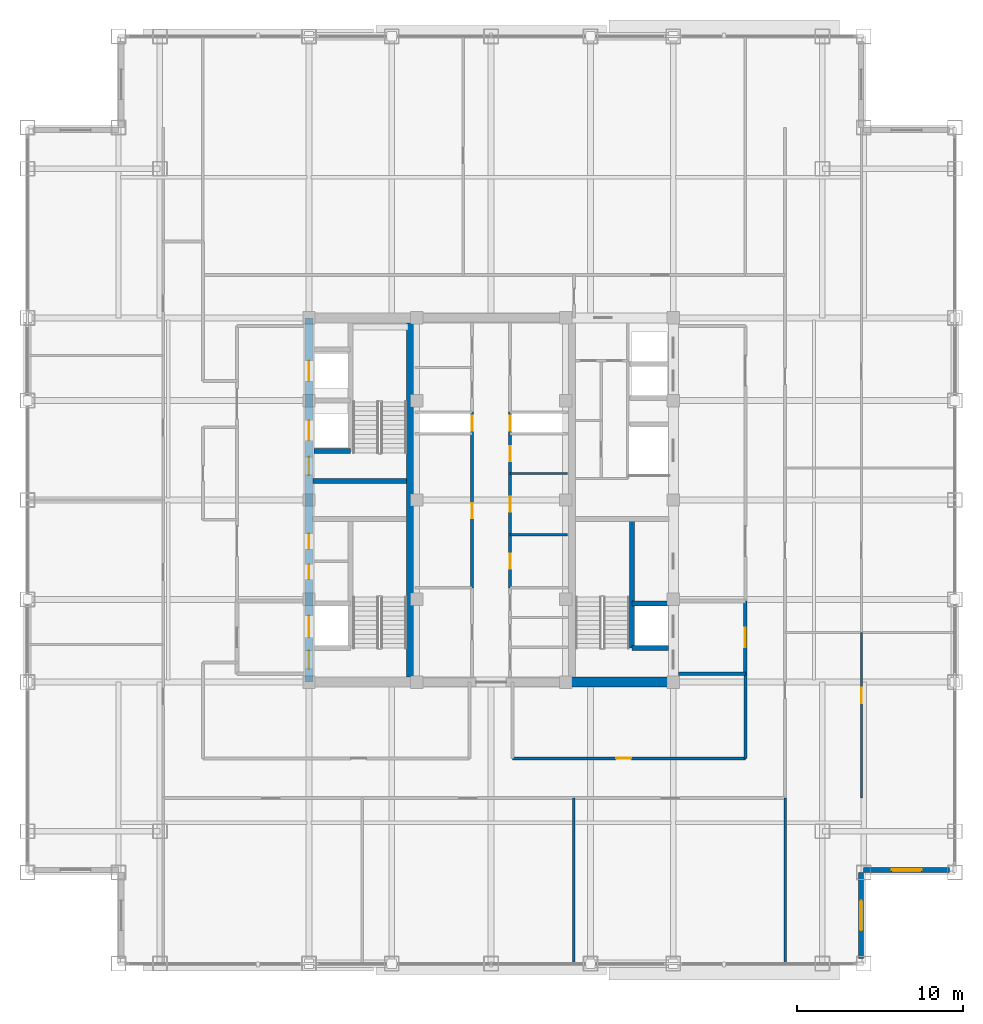
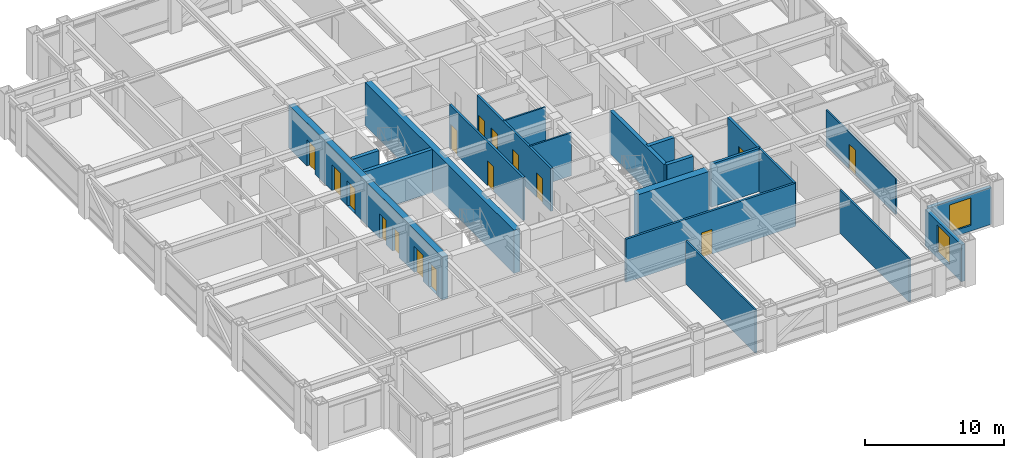
# One storey, part 19 of 27: 21 walls, 16 doors, 2 windows, 18 openings.
"""IFC4 building model written with IfcOpenShell, lengths in metres."""

from ifc_helpers import new_model, si_unit, direction, frame, frame_2d, origin, place, context, subcontext, project, spatial, rectangle, extrude, source, transform, mapped, material, layer, layer_set, type_object, element, fill, save


model = new_model("IFC4")

# Units and contexts
model_context = context("Model", 3, precision=1e-05, world=origin(), true_north=direction((0.0, 1.0)))
body_context = subcontext(model_context, "Body", "Model", "MODEL_VIEW")
ifc_project = project(units=[si_unit("LENGTHUNIT", "METRE"), si_unit("AREAUNIT", "SQUARE_METRE"), si_unit("VOLUMEUNIT", "CUBIC_METRE"), si_unit("PLANEANGLEUNIT", "RADIAN"), si_unit("MASSUNIT", "GRAM", prefix="KILO")], contexts=[model_context])

# Site, building, storey
site_placement = place(None, origin())
site = spatial("IfcSite", under=ifc_project, at=site_placement, CompositionType="ELEMENT")
building_placement = place(site_placement, origin())
building = spatial("IfcBuilding", under=site, at=building_placement, Name="Khorayat Bourse Tower", CompositionType="ELEMENT")
storey_placement = place(building_placement, frame((0.0, 0.0, 313.5)))
storey = spatial("IfcBuildingStorey", under=building, at=storey_placement, Name="L74", CompositionType="ELEMENT", Elevation=313.5)

# Wall, openings, doors
ifc_material_1 = material(Name="Concrete C52/65", Category="concrete")
ifc_layer_1 = layer(ifc_material_1, 0.5)
ifc_layer_set_1 = layer_set([ifc_layer_1], Name="Concrete C52/65")
wall_type_1 = type_object("IfcWallType", Name="WAL-CORE-500", PredefinedType="SHEAR", material=ifc_layer_set_1)
shared_shape_1 = source(origin(), body_context, "Body", "SweptSolid", [
    extrude(rectangle(XDim=22.0, YDim=0.5, at=frame_2d((11.0, 0.0))), origin(), (0.0, 0.0, 1.0), 3.780029296875),
])
wall_1_placement = place(storey_placement, frame((-11.0, -11.0, 0.0), z_axis=(0.0, 0.0, 1.0), x_axis=(0.0, 1.0, 0.0)))
wall_1 = element("IfcWall", 1, at=wall_1_placement, inside=storey, type_object=wall_type_1, Name="L74 Core Shear Wall CORE-W", PredefinedType="SHEAR", context=body_context, shape_type="MappedRepresentation", body=[
    mapped(shared_shape_1, transform((0.0, 0.0, 0.0), scale=1.0)),
])
shared_shape_2 = source(origin(), body_context, "Body", "SweptSolid", [
    extrude(rectangle(XDim=1.10009765625, YDim=2.199951171875, at=frame_2d((0.550048828125, 1.10009765625))), frame((0.0, 0.260009765625, 0.0), z_axis=(0.0, -1.0, 0.0), x_axis=(1.0, 0.0, 0.0)), (0.0, 0.0, 1.0), 0.52001953125),
])
opening_1_placement = place(wall_1_placement, frame((0.800048828125, 0.0, 0.0)))
opening_1 = element("IfcOpeningElement", 2, at=opening_1_placement, cuts=wall_1, Name="Opening DI-01", PredefinedType="OPENING", context=body_context, shape_type="MappedRepresentation", body=[
    mapped(shared_shape_2, transform((0.0, 0.0, 0.0), scale=1.0)),
])
opening_2_placement = place(wall_1_placement, frame((12.5, 0.0, 0.0)))
opening_2 = element("IfcOpeningElement", 3, at=opening_2_placement, cuts=wall_1, Name="Opening DI-01", PredefinedType="OPENING", context=body_context, shape_type="MappedRepresentation", body=[
    mapped(shared_shape_2, transform((0.0, 0.0, 0.0), scale=1.0)),
])
shared_shape_3 = source(origin(), body_context, "Body", "SweptSolid", [
    extrude(rectangle(XDim=0.89990234375, YDim=2.14990234375, at=frame_2d((0.449951171875, 1.074951171875))), frame((0.0, 0.260009765625, 0.0), z_axis=(0.0, -1.0, 0.0), x_axis=(1.0, 0.0, 0.0)), (0.0, 0.0, 1.0), 0.52001953125),
])
opening_3_placement = place(wall_1_placement, frame((6.199951171875, 0.0, 0.0)))
opening_3 = element("IfcOpeningElement", 4, at=opening_3_placement, cuts=wall_1, Name="Opening DI-06", PredefinedType="OPENING", context=body_context, shape_type="MappedRepresentation", body=[
    mapped(shared_shape_3, transform((0.0, 0.0, 0.0), scale=1.0)),
])
opening_4_placement = place(wall_1_placement, frame((8.050048828125, 0.0, 0.0)))
opening_4 = element("IfcOpeningElement", 5, at=opening_4_placement, cuts=wall_1, Name="Opening DI-06", PredefinedType="OPENING", context=body_context, shape_type="MappedRepresentation", body=[
    mapped(shared_shape_3, transform((0.0, 0.0, 0.0), scale=1.0)),
])
shared_shape_4 = source(origin(), body_context, "Body", "SweptSolid", [
    extrude(rectangle(XDim=1.199951171875, YDim=2.300048828125, at=frame_2d((0.60009765625, 1.14990234375))), frame((0.0, 0.260009765625, 0.0), z_axis=(0.0, -1.0, 0.0), x_axis=(1.0, 0.0, 0.0)), (0.0, 0.0, 1.0), 0.52001953125),
])
opening_5_placement = place(wall_1_placement, frame((14.60009765625, 0.0, 0.0)))
opening_5 = element("IfcOpeningElement", 6, at=opening_5_placement, cuts=wall_1, Name="Opening LD-01", PredefinedType="OPENING", context=body_context, shape_type="MappedRepresentation", body=[
    mapped(shared_shape_4, transform((0.0, 0.0, 0.0), scale=1.0)),
])
opening_6_placement = place(wall_1_placement, frame((18.199951171875, 0.0, 0.0)))
opening_6 = element("IfcOpeningElement", 7, at=opening_6_placement, cuts=wall_1, Name="Opening LD-01", PredefinedType="OPENING", context=body_context, shape_type="MappedRepresentation", body=[
    mapped(shared_shape_4, transform((0.0, 0.0, 0.0), scale=1.0)),
])
shared_shape_5 = source(origin(), body_context, "Body", "SweptSolid", [
    extrude(rectangle(XDim=1.300048828125, YDim=2.300048828125, at=frame_2d((0.64990234375, 1.14990234375))), frame((0.0, 0.260009765625, 0.0), z_axis=(0.0, -1.0, 0.0), x_axis=(1.0, 0.0, 0.0)), (0.0, 0.0, 1.0), 0.52001953125),
])
opening_7_placement = place(wall_1_placement, frame((2.699951171875, 0.0, 0.0)))
opening_7 = element("IfcOpeningElement", 8, at=opening_7_placement, cuts=wall_1, Name="Opening LD-02", PredefinedType="OPENING", context=body_context, shape_type="MappedRepresentation", body=[
    mapped(shared_shape_5, transform((0.0, 0.0, 0.0), scale=1.0)),
])
ifc_material_2 = material(Name="Fire-rated steel acoustic leaf", Category="steel")
door_type_1 = type_object("IfcDoorType", Name="DR-INT-STAIR-1100", OperationType="NOTDEFINED", PredefinedType="DOOR", material=ifc_material_2)
shared_shape_6 = source(origin(), body_context, "Body", "SweptSolid", [
    extrude(rectangle(XDim=1.10009765625, YDim=2.199951171875, at=frame_2d((0.550048828125, 1.10009765625))), frame((0.0, 0.02490234375, 0.0), z_axis=(0.0, -1.0, 0.0), x_axis=(1.0, 0.0, 0.0)), (0.0, 0.0, 1.0), 0.050048828125),
])
door_1_placement = place(opening_1_placement, origin())
door_1 = element("IfcDoor", 9, at=door_1_placement, inside=storey, type_object=door_type_1, Name="L74 Exit Stair 1 Door", OperationType="SINGLE_SWING_RIGHT", OverallHeight=2.199951171875, OverallWidth=1.10009765625, PredefinedType="DOOR", context=body_context, shape_type="MappedRepresentation", body=[
    mapped(shared_shape_6, transform((0.0, 0.0, 0.0), scale=1.0)),
])
fill(opening_1, door_1)
door_2_placement = place(opening_2_placement, origin())
door_2 = element("IfcDoor", 10, at=door_2_placement, inside=storey, type_object=door_type_1, Name="L74 Exit Stair 2 Door", OperationType="SINGLE_SWING_RIGHT", OverallHeight=2.199951171875, OverallWidth=1.10009765625, PredefinedType="DOOR", context=body_context, shape_type="MappedRepresentation", body=[
    mapped(shared_shape_6, transform((0.0, 0.0, 0.0), scale=1.0)),
])
fill(opening_2, door_2)
ifc_material_3 = material(Name="Moisture-resistant laminate washroom door")
door_type_2 = type_object("IfcDoorType", Name="DR-INT-WC-900", OperationType="NOTDEFINED", PredefinedType="DOOR", material=ifc_material_3)
shared_shape_7 = source(origin(), body_context, "Body", "SweptSolid", [
    extrude(rectangle(XDim=0.89990234375, YDim=2.14990234375, at=frame_2d((0.449951171875, 1.074951171875))), frame((0.0, 0.02490234375, 0.0), z_axis=(0.0, -1.0, 0.0), x_axis=(1.0, 0.0, 0.0)), (0.0, 0.0, 1.0), 0.050048828125),
])
door_3_placement = place(opening_3_placement, origin())
door_3 = element("IfcDoor", 11, at=door_3_placement, inside=storey, type_object=door_type_2, Name="L74 Electrical Plant Room Door", OperationType="SINGLE_SWING_RIGHT", OverallHeight=2.14990234375, OverallWidth=0.89990234375, PredefinedType="DOOR", context=body_context, shape_type="MappedRepresentation", body=[
    mapped(shared_shape_7, transform((0.0, 0.0, 0.0), scale=1.0)),
])
fill(opening_3, door_3)
door_4_placement = place(opening_4_placement, origin())
door_4 = element("IfcDoor", 12, at=door_4_placement, inside=storey, type_object=door_type_2, Name="L74 Cleaner Storage Room Door", OperationType="SINGLE_SWING_LEFT", OverallHeight=2.14990234375, OverallWidth=0.89990234375, PredefinedType="DOOR", context=body_context, shape_type="MappedRepresentation", body=[
    mapped(shared_shape_7, transform((0.0, 0.0, 0.0), scale=1.0)),
])
fill(opening_4, door_4)
ifc_material_4 = material(Name="Brushed bronze stainless-steel sliding door", Category="steel")
door_type_3 = type_object("IfcDoorType", Name="DR-LIFT-PASS-1200", OperationType="NOTDEFINED", PredefinedType="DOOR", material=ifc_material_4)
shared_shape_8 = source(origin(), body_context, "Body", "SweptSolid", [
    extrude(rectangle(XDim=1.199951171875, YDim=2.300048828125, at=frame_2d((0.60009765625, 1.14990234375))), frame((0.0, 0.02490234375, 0.0), z_axis=(0.0, -1.0, 0.0), x_axis=(1.0, 0.0, 0.0)), (0.0, 0.0, 1.0), 0.050048828125),
])
door_5_placement = place(opening_5_placement, origin())
door_5 = element("IfcDoor", 13, at=door_5_placement, inside=storey, type_object=door_type_3, Name="L74 Lift PL-H1 Sliding Landing Door", OperationType="SLIDING_TO_LEFT", OverallHeight=2.300048828125, OverallWidth=1.199951171875, PredefinedType="DOOR", context=body_context, shape_type="MappedRepresentation", body=[
    mapped(shared_shape_8, transform((0.0, 0.0, 0.0), scale=1.0)),
])
fill(opening_5, door_5)
door_6_placement = place(opening_6_placement, origin())
door_6 = element("IfcDoor", 14, at=door_6_placement, inside=storey, type_object=door_type_3, Name="L74 Lift PL-H2 Sliding Landing Door", OperationType="SLIDING_TO_LEFT", OverallHeight=2.300048828125, OverallWidth=1.199951171875, PredefinedType="DOOR", context=body_context, shape_type="MappedRepresentation", body=[
    mapped(shared_shape_8, transform((0.0, 0.0, 0.0), scale=1.0)),
])
fill(opening_6, door_6)
ifc_material_5 = material(Name="Fire-rated stainless-steel sliding landing door", Category="steel")
door_type_4 = type_object("IfcDoorType", Name="DR-LIFT-FF-1300", OperationType="NOTDEFINED", PredefinedType="DOOR", material=ifc_material_5)
shared_shape_9 = source(origin(), body_context, "Body", "SweptSolid", [
    extrude(rectangle(XDim=1.300048828125, YDim=2.300048828125, at=frame_2d((0.64990234375, 1.14990234375))), frame((0.0, 0.02490234375, 0.0), z_axis=(0.0, -1.0, 0.0), x_axis=(1.0, 0.0, 0.0)), (0.0, 0.0, 1.0), 0.050048828125),
])
door_7_placement = place(opening_7_placement, origin())
door_7 = element("IfcDoor", 15, at=door_7_placement, inside=storey, type_object=door_type_4, Name="L74 Lift FFL-01 Sliding Landing Door", OperationType="SLIDING_TO_LEFT", OverallHeight=2.300048828125, OverallWidth=1.300048828125, PredefinedType="DOOR", context=body_context, shape_type="MappedRepresentation", body=[
    mapped(shared_shape_9, transform((0.0, 0.0, 0.0), scale=1.0)),
])
fill(opening_7, door_7)

# Walls
shared_shape_10 = source(origin(), body_context, "Body", "SweptSolid", [
    extrude(rectangle(XDim=21.39990234375, YDim=0.5, at=frame_2d((10.699951171875, 0.0))), origin(), (0.0, 0.0, 1.0), 3.780029296875),
])
wall_2_placement = place(storey_placement, frame((-4.85009765625, -10.699951171875, 0.0), z_axis=(0.0, 0.0, 1.0), x_axis=(0.0, 1.0, 0.0)))
element("IfcWall", 16, at=wall_2_placement, inside=storey, type_object=wall_type_1, Name="L74 Core Shear Wall PIER-W", PredefinedType="SHEAR", context=body_context, shape_type="MappedRepresentation", body=[
    mapped(shared_shape_10, transform((0.0, 0.0, 0.0), scale=1.0)),
])
ifc_material_6 = material(Name="Concrete C60/75", Category="concrete")
ifc_layer_2 = layer(ifc_material_6, 0.60009765625)
ifc_layer_set_2 = layer_set([ifc_layer_2], Name="Concrete C60/75")
wall_type_2 = type_object("IfcWallType", Name="WAL-CORE-600", PredefinedType="SHEAR", material=ifc_layer_set_2)
shared_shape_11 = source(origin(), body_context, "Body", "SweptSolid", [
    extrude(rectangle(XDim=5.89990234375, YDim=0.60009765625, at=frame_2d((2.949951171875, 0.0))), origin(), (0.0, 0.0, 1.0), 3.780029296875),
])
wall_3_placement = place(storey_placement, frame((4.85009765625, -11.0, 0.0), z_axis=(0.0, 0.0, 1.0), x_axis=(1.0, 0.0, 0.0)))
element("IfcWall", 17, at=wall_3_placement, inside=storey, type_object=wall_type_2, Name="L74 Core Shear Wall PIER-ES", PredefinedType="SHEAR", context=body_context, shape_type="MappedRepresentation", body=[
    mapped(shared_shape_11, transform((0.0, 0.0, 0.0), scale=1.0)),
])
ifc_material_7 = material(Name="Concrete C50/60", Category="concrete")
ifc_layer_3 = layer(ifc_material_7, 0.300048828125)
ifc_layer_set_3 = layer_set([ifc_layer_3], Name="Concrete C50/60")
wall_type_3 = type_object("IfcWallType", Name="WAL-SHAFT-300", PredefinedType="SHEAR", material=ifc_layer_set_3)
shared_shape_12 = source(origin(), body_context, "Body", "SweptSolid", [
    extrude(rectangle(XDim=5.64990234375, YDim=0.300048828125, at=frame_2d((2.824951171875, 0.0))), origin(), (0.0, 0.0, 1.0), 3.780029296875),
])
wall_4_placement = place(storey_placement, frame((-10.75, 1.14990234375, 0.0), z_axis=(0.0, 0.0, 1.0), x_axis=(1.0, 0.0, 0.0)))
element("IfcWall", 18, at=wall_4_placement, inside=storey, type_object=wall_type_3, Name="L74 Core Shear Wall ST2-DIV", PredefinedType="SHEAR", context=body_context, shape_type="MappedRepresentation", body=[
    mapped(shared_shape_12, transform((0.0, 0.0, 0.0), scale=1.0)),
])

# Wall, opening, window
ifc_material_8 = material(Name="Precast concrete C45/55", Category="concrete")
ifc_layer_4 = layer(ifc_material_8, 0.320068359375)
ifc_layer_set_4 = layer_set([ifc_layer_4], Name="Precast concrete C45/55")
wall_type_4 = type_object("IfcWallType", Name="WAL-EXT-STONE-320", PredefinedType="STANDARD", material=ifc_layer_set_4)
shared_shape_13 = source(origin(), body_context, "Body", "SweptSolid", [
    extrude(rectangle(XDim=5.179931640625, YDim=0.320068359375, at=frame_2d((2.58984375, 0.0))), origin(), (0.0, 0.0, 1.0), 3.23095703125),
])
wall_5_placement = place(storey_placement, frame((22.340087890625, -27.679931640625, 0.0), z_axis=(0.0, 0.0, 1.0), x_axis=(0.0, 1.0, 0.0)))
wall_5 = element("IfcWall", 19, at=wall_5_placement, inside=storey, type_object=wall_type_4, Name="L74 Re-Entrant Notch Limestone Wall SE-V", PredefinedType="STANDARD", context=body_context, shape_type="MappedRepresentation", body=[
    mapped(shared_shape_13, transform((0.0, 0.0, 0.0), scale=1.0)),
])
shared_shape_14 = source(origin(), body_context, "Body", "SweptSolid", [
    extrude(rectangle(XDim=1.800048828125, YDim=2.39990234375, at=frame_2d((0.89990234375, 1.199951171875))), frame((0.0, 0.169921875, 0.0), z_axis=(0.0, -1.0, 0.0), x_axis=(1.0, 0.0, 0.0)), (0.0, 0.0, 1.0), 0.340087890625),
])
opening_8_placement = place(wall_5_placement, frame((1.68994140625, 0.0, 0.5)))
opening_8 = element("IfcOpeningElement", 20, at=opening_8_placement, cuts=wall_5, Name="Opening WN-04", PredefinedType="OPENING", context=body_context, shape_type="MappedRepresentation", body=[
    mapped(shared_shape_14, transform((0.0, 0.0, 0.0), scale=1.0)),
])
ifc_material_9 = material(Name="Low-E acoustic laminated double glazing", Category="glass")
window_type = type_object("IfcWindowType", Name="WIN-NOTCH-1800x2400", PartitioningType="SINGLE_PANEL", PredefinedType="WINDOW", material=ifc_material_9)
shared_shape_15 = source(origin(), body_context, "Body", "SweptSolid", [
    extrude(rectangle(XDim=1.800048828125, YDim=2.39990234375, at=frame_2d((0.89990234375, 1.199951171875))), frame((0.0, 0.030029296875, 0.0), z_axis=(0.0, -1.0, 0.0), x_axis=(1.0, 0.0, 0.0)), (0.0, 0.0, 1.0), 0.06005859375),
])
window_1_placement = place(opening_8_placement, origin())
window_1 = element("IfcWindow", 21, at=window_1_placement, inside=storey, type_object=window_type, Name="L74 Facade Window 1", OverallHeight=2.39990234375, OverallWidth=1.800048828125, PartitioningType="SINGLE_PANEL", PredefinedType="WINDOW", context=body_context, shape_type="MappedRepresentation", body=[
    mapped(shared_shape_15, transform((0.0, 0.0, 0.0), scale=1.0)),
])
fill(opening_8, window_1)

wall_6_placement = place(storey_placement, frame((22.5, -22.340087890625, 0.0), z_axis=(0.0, 0.0, 1.0), x_axis=(1.0, 0.0, 0.0)))
wall_6 = element("IfcWall", 22, at=wall_6_placement, inside=storey, type_object=wall_type_4, Name="L74 Re-Entrant Notch Limestone Wall SE-H", PredefinedType="STANDARD", context=body_context, shape_type="MappedRepresentation", body=[
    mapped(shared_shape_13, transform((0.0, 0.0, 0.0), scale=1.0)),
])
opening_9_placement = place(wall_6_placement, frame((1.68994140625, 0.0, 0.5)))
opening_9 = element("IfcOpeningElement", 23, at=opening_9_placement, cuts=wall_6, Name="Opening WN-04", PredefinedType="OPENING", context=body_context, shape_type="MappedRepresentation", body=[
    mapped(shared_shape_14, transform((0.0, 0.0, 0.0), scale=1.0)),
])
window_2_placement = place(opening_9_placement, origin())
window_2 = element("IfcWindow", 24, at=window_2_placement, inside=storey, type_object=window_type, Name="L74 Facade Window 1", OverallHeight=2.39990234375, OverallWidth=1.800048828125, PartitioningType="SINGLE_PANEL", PredefinedType="WINDOW", context=body_context, shape_type="MappedRepresentation", body=[
    mapped(shared_shape_15, transform((0.0, 0.0, 0.0), scale=1.0)),
])
fill(opening_9, window_2)

# Walls
shared_shape_16 = source(origin(), body_context, "Body", "SweptSolid", [
    extrude(rectangle(XDim=7.800048828125, YDim=0.300048828125, at=frame_2d((3.89990234375, 0.0))), origin(), (0.0, 0.0, 1.0), 3.780029296875),
])
wall_7_placement = place(storey_placement, frame((8.5, -8.949951171875, 0.0), z_axis=(0.0, 0.0, 1.0), x_axis=(0.0, 1.0, 0.0)))
element("IfcWall", 25, at=wall_7_placement, inside=storey, type_object=wall_type_3, Name="L74 Partition WAL-L74-EPIER-SP", PredefinedType="SHEAR", context=body_context, shape_type="MappedRepresentation", body=[
    mapped(shared_shape_16, transform((0.0, 0.0, 0.0), scale=1.0)),
])
shared_shape_17 = source(origin(), body_context, "Body", "SweptSolid", [
    extrude(rectangle(XDim=2.199951171875, YDim=0.300048828125, at=frame_2d((1.10009765625, 0.0))), origin(), (0.0, 0.0, 1.0), 3.780029296875),
])
for number, where, z_axis, x_axis, name in (
    (26, (-10.699951171875, 2.949951171875, 0.0), (0.0, 0.0, 1.0), (1.0, 0.0, 0.0), "L74 Partition WAL-L74-WPIER-H1S"),
    (27, (8.5, -8.949951171875, 0.0), (0.0, 0.0, 1.0), (1.0, 0.0, 0.0), "L74 Partition WAL-L74-EPIER-FF2S"),
    (28, (8.5, -6.25, 0.0), (0.0, 0.0, 1.0), (1.0, 0.0, 0.0), "L74 Partition WAL-L74-EPIER-FF2N"),
):
    element("IfcWall", number, at=place(storey_placement, frame(where, z_axis=z_axis, x_axis=x_axis)), inside=storey, type_object=wall_type_3, Name=name, PredefinedType="SHEAR", context=body_context, shape_type="MappedRepresentation", body=[
        mapped(shared_shape_17, transform((0.0, 0.0, 0.0), scale=1.0)),
    ])
ifc_material_10 = material(Name="Aerated concrete blockwork", Category="masonry")
ifc_layer_5 = layer(ifc_material_10, 0.219970703125)
ifc_layer_set_5 = layer_set([ifc_layer_5], Name="Aerated concrete blockwork")
wall_type_5 = type_object("IfcWallType", Name="WAL-PART-FF-220", PredefinedType="PARTITIONING", material=ifc_layer_set_5)
shared_shape_18 = source(origin(), body_context, "Body", "SweptSolid", [
    extrude(rectangle(XDim=4.050048828125, YDim=0.219970703125, at=frame_2d((2.02490234375, 0.0))), origin(), (0.0, 0.0, 1.0), 3.780029296875),
])
wall_8_placement = place(storey_placement, frame((11.300048828125, -10.5, 0.0), z_axis=(0.0, 0.0, 1.0), x_axis=(1.0, 0.0, 0.0)))
element("IfcWall", 29, at=wall_8_placement, inside=storey, type_object=wall_type_5, Name="L74 Partition WAL-L74-FFLE-S", PredefinedType="PARTITIONING", context=body_context, shape_type="MappedRepresentation", body=[
    mapped(shared_shape_18, transform((0.0, 0.0, 0.0), scale=1.0)),
])

# Wall, opening, door
shared_shape_19 = source(origin(), body_context, "Body", "SweptSolid", [
    extrude(rectangle(XDim=4.39990234375, YDim=0.219970703125, at=frame_2d((2.199951171875, 0.0))), origin(), (0.0, 0.0, 1.0), 3.780029296875),
])
wall_9_placement = place(storey_placement, frame((15.35009765625, -10.5, 0.0), z_axis=(0.0, 0.0, 1.0), x_axis=(0.0, 1.0, 0.0)))
wall_9 = element("IfcWall", 30, at=wall_9_placement, inside=storey, type_object=wall_type_5, Name="L74 Partition WAL-L74-FFLE-E", PredefinedType="PARTITIONING", context=body_context, shape_type="MappedRepresentation", body=[
    mapped(shared_shape_19, transform((0.0, 0.0, 0.0), scale=1.0)),
])
shared_shape_20 = source(origin(), body_context, "Body", "SweptSolid", [
    extrude(rectangle(XDim=1.199951171875, YDim=2.199951171875, at=frame_2d((0.60009765625, 1.10009765625))), frame((0.0, 0.119873046875, 0.0), z_axis=(0.0, -1.0, 0.0), x_axis=(1.0, 0.0, 0.0)), (0.0, 0.0, 1.0), 0.239990234375),
])
opening_10_placement = place(wall_9_placement, frame((1.60009765625, 0.0, 0.0)))
opening_10 = element("IfcOpeningElement", 31, at=opening_10_placement, cuts=wall_9, Name="Opening DI-02", PredefinedType="OPENING", context=body_context, shape_type="MappedRepresentation", body=[
    mapped(shared_shape_20, transform((0.0, 0.0, 0.0), scale=1.0)),
])
ifc_material_11 = material(Name="Fire-rated steel double-seal leaf", Category="steel")
door_type_5 = type_object("IfcDoorType", Name="DR-INT-FFLOBBY-1200", OperationType="NOTDEFINED", PredefinedType="DOOR", material=ifc_material_11)
shared_shape_21 = source(origin(), body_context, "Body", "SweptSolid", [
    extrude(rectangle(XDim=1.199951171875, YDim=2.199951171875, at=frame_2d((0.60009765625, 1.10009765625))), frame((0.0, 0.02490234375, 0.0), z_axis=(0.0, -1.0, 0.0), x_axis=(1.0, 0.0, 0.0)), (0.0, 0.0, 1.0), 0.050048828125),
])
door_8_placement = place(opening_10_placement, origin())
door_8 = element("IfcDoor", 32, at=door_8_placement, inside=storey, type_object=door_type_5, Name="L74 East Firefighting Lobby Door", OperationType="SINGLE_SWING_RIGHT", OverallHeight=2.199951171875, OverallWidth=1.199951171875, PredefinedType="DOOR", context=body_context, shape_type="MappedRepresentation", body=[
    mapped(shared_shape_21, transform((0.0, 0.0, 0.0), scale=1.0)),
])
fill(opening_10, door_8)

# Walls
ifc_material_12 = material(Name="Moisture-resistant masonry partition", Category="masonry")
ifc_layer_6 = layer(ifc_material_12, 0.139892578125)
ifc_layer_set_6 = layer_set([ifc_layer_6], Name="Moisture-resistant masonry partition")
wall_type_6 = type_object("IfcWallType", Name="WAL-PART-WET-140", PredefinedType="PARTITIONING", material=ifc_layer_set_6)
shared_shape_22 = source(origin(), body_context, "Body", "SweptSolid", [
    extrude(rectangle(XDim=3.4501953125, YDim=0.139892578125, at=frame_2d((1.72509765625, 0.0))), origin(), (0.0, 0.0, 1.0), 3.780029296875),
])
for number, where, z_axis, x_axis, name in (
    (33, (1.14990234375, -2.10009765625, 0.0), (0.0, 0.0, 1.0), (1.0, 0.0, 0.0), "L74 Partition WAL-L74-CME-D1"),
    (34, (1.14990234375, 1.60009765625, 0.0), (0.0, 0.0, 1.0), (1.0, 0.0, 0.0), "L74 Partition WAL-L74-CME-D2"),
):
    element("IfcWall", number, at=place(storey_placement, frame(where, z_axis=z_axis, x_axis=x_axis)), inside=storey, type_object=wall_type_6, Name=name, PredefinedType="PARTITIONING", context=body_context, shape_type="MappedRepresentation", body=[
        mapped(shared_shape_22, transform((0.0, 0.0, 0.0), scale=1.0)),
    ])

# Wall, openings, doors
ifc_material_13 = material(Name="Gypsum plasterboard acoustic stud wall")
ifc_layer_7 = layer(ifc_material_13, 0.179931640625)
ifc_layer_set_7 = layer_set([ifc_layer_7], Name="Gypsum plasterboard acoustic stud wall")
wall_type_7 = type_object("IfcWallType", Name="WAL-PART-CORR-180", PredefinedType="PARTITIONING", material=ifc_layer_set_7)
shared_shape_23 = source(origin(), body_context, "Body", "SweptSolid", [
    extrude(rectangle(XDim=10.60009765625, YDim=0.179931640625, at=frame_2d((5.300048828125, 0.0))), origin(), (0.0, 0.0, 1.0), 3.780029296875),
])
wall_10_placement = place(storey_placement, frame((-1.14990234375, -5.300048828125, 0.0), z_axis=(0.0, 0.0, 1.0), x_axis=(0.0, 1.0, 0.0)))
wall_10 = element("IfcWall", 35, at=wall_10_placement, inside=storey, type_object=wall_type_7, Name="L74 Partition WAL-L74-CMW-L", PredefinedType="PARTITIONING", context=body_context, shape_type="MappedRepresentation", body=[
    mapped(shared_shape_23, transform((0.0, 0.0, 0.0), scale=1.0)),
])
shared_shape_24 = source(origin(), body_context, "Body", "SweptSolid", [
    extrude(rectangle(XDim=0.89990234375, YDim=2.14990234375, at=frame_2d((0.449951171875, 1.074951171875))), frame((0.0, 0.099853515625, 0.0), z_axis=(0.0, -1.0, 0.0), x_axis=(1.0, 0.0, 0.0)), (0.0, 0.0, 1.0), 0.199951171875),
])
opening_11_placement = place(wall_10_placement, frame((4.199951171875, 0.0, 0.0)))
opening_11 = element("IfcOpeningElement", 36, at=opening_11_placement, cuts=wall_10, Name="Opening DI-06", PredefinedType="OPENING", context=body_context, shape_type="MappedRepresentation", body=[
    mapped(shared_shape_24, transform((0.0, 0.0, 0.0), scale=1.0)),
])
opening_12_placement = place(wall_10_placement, frame((9.47509765625, 0.0, 0.0)))
opening_12 = element("IfcOpeningElement", 37, at=opening_12_placement, cuts=wall_10, Name="Opening DI-06", PredefinedType="OPENING", context=body_context, shape_type="MappedRepresentation", body=[
    mapped(shared_shape_24, transform((0.0, 0.0, 0.0), scale=1.0)),
])
door_9_placement = place(opening_11_placement, origin())
door_9 = element("IfcDoor", 38, at=door_9_placement, inside=storey, type_object=door_type_2, Name="L74 Male Core Washroom Door", OperationType="SINGLE_SWING_RIGHT", OverallHeight=2.14990234375, OverallWidth=0.89990234375, PredefinedType="DOOR", context=body_context, shape_type="MappedRepresentation", body=[
    mapped(shared_shape_7, transform((0.0, 0.0, 0.0), scale=1.0)),
])
fill(opening_11, door_9)
door_10_placement = place(opening_12_placement, origin())
door_10 = element("IfcDoor", 39, at=door_10_placement, inside=storey, type_object=door_type_2, Name="L74 West Core Riser Door", OperationType="SINGLE_SWING_LEFT", OverallHeight=2.14990234375, OverallWidth=0.89990234375, PredefinedType="DOOR", context=body_context, shape_type="MappedRepresentation", body=[
    mapped(shared_shape_7, transform((0.0, 0.0, 0.0), scale=1.0)),
])
fill(opening_12, door_10)

wall_11_placement = place(storey_placement, frame((1.14990234375, -5.300048828125, 0.0), z_axis=(0.0, 0.0, 1.0), x_axis=(0.0, 1.0, 0.0)))
wall_11 = element("IfcWall", 40, at=wall_11_placement, inside=storey, type_object=wall_type_7, Name="L74 Partition WAL-L74-CME-L", PredefinedType="PARTITIONING", context=body_context, shape_type="MappedRepresentation", body=[
    mapped(shared_shape_23, transform((0.0, 0.0, 0.0), scale=1.0)),
])
opening_13_placement = place(wall_11_placement, frame((1.14990234375, 0.0, 0.0)))
opening_13 = element("IfcOpeningElement", 41, at=opening_13_placement, cuts=wall_11, Name="Opening DI-06", PredefinedType="OPENING", context=body_context, shape_type="MappedRepresentation", body=[
    mapped(shared_shape_24, transform((0.0, 0.0, 0.0), scale=1.0)),
])
opening_14_placement = place(wall_11_placement, frame((4.60009765625, 0.0, 0.0)))
opening_14 = element("IfcOpeningElement", 42, at=opening_14_placement, cuts=wall_11, Name="Opening DI-06", PredefinedType="OPENING", context=body_context, shape_type="MappedRepresentation", body=[
    mapped(shared_shape_24, transform((0.0, 0.0, 0.0), scale=1.0)),
])
opening_15_placement = place(wall_11_placement, frame((7.64990234375, 0.0, 0.0)))
opening_15 = element("IfcOpeningElement", 43, at=opening_15_placement, cuts=wall_11, Name="Opening DI-06", PredefinedType="OPENING", context=body_context, shape_type="MappedRepresentation", body=[
    mapped(shared_shape_24, transform((0.0, 0.0, 0.0), scale=1.0)),
])
opening_16_placement = place(wall_11_placement, frame((9.47509765625, 0.0, 0.0)))
opening_16 = element("IfcOpeningElement", 44, at=opening_16_placement, cuts=wall_11, Name="Opening DI-06", PredefinedType="OPENING", context=body_context, shape_type="MappedRepresentation", body=[
    mapped(shared_shape_24, transform((0.0, 0.0, 0.0), scale=1.0)),
])
door_11_placement = place(opening_13_placement, origin())
door_11 = element("IfcDoor", 45, at=door_11_placement, inside=storey, type_object=door_type_2, Name="L74 Female Core Washroom Door", OperationType="SINGLE_SWING_RIGHT", OverallHeight=2.14990234375, OverallWidth=0.89990234375, PredefinedType="DOOR", context=body_context, shape_type="MappedRepresentation", body=[
    mapped(shared_shape_7, transform((0.0, 0.0, 0.0), scale=1.0)),
])
fill(opening_13, door_11)
door_12_placement = place(opening_14_placement, origin())
door_12 = element("IfcDoor", 46, at=door_12_placement, inside=storey, type_object=door_type_2, Name="L74 Cleaners Store Door", OperationType="SINGLE_SWING_LEFT", OverallHeight=2.14990234375, OverallWidth=0.89990234375, PredefinedType="DOOR", context=body_context, shape_type="MappedRepresentation", body=[
    mapped(shared_shape_7, transform((0.0, 0.0, 0.0), scale=1.0)),
])
fill(opening_14, door_12)
door_13_placement = place(opening_15_placement, origin())
door_13 = element("IfcDoor", 47, at=door_13_placement, inside=storey, type_object=door_type_2, Name="L74 Meter and BMS Plant Room Door", OperationType="SINGLE_SWING_RIGHT", OverallHeight=2.14990234375, OverallWidth=0.89990234375, PredefinedType="DOOR", context=body_context, shape_type="MappedRepresentation", body=[
    mapped(shared_shape_7, transform((0.0, 0.0, 0.0), scale=1.0)),
])
fill(opening_15, door_13)
door_14_placement = place(opening_16_placement, origin())
door_14 = element("IfcDoor", 48, at=door_14_placement, inside=storey, type_object=door_type_2, Name="L74 East Core Riser Door", OperationType="SINGLE_SWING_RIGHT", OverallHeight=2.14990234375, OverallWidth=0.89990234375, PredefinedType="DOOR", context=body_context, shape_type="MappedRepresentation", body=[
    mapped(shared_shape_7, transform((0.0, 0.0, 0.0), scale=1.0)),
])
fill(opening_16, door_14)

# Wall, opening, door
shared_shape_25 = source(origin(), body_context, "Body", "SweptSolid", [
    extrude(rectangle(XDim=14.050048828125, YDim=0.179931640625, at=frame_2d((7.02490234375, 0.0))), origin(), (0.0, 0.0, 1.0), 3.780029296875),
])
wall_12_placement = place(storey_placement, frame((1.300048828125, -15.60009765625, 0.0), z_axis=(0.0, 0.0, 1.0), x_axis=(1.0, 0.0, 0.0)))
wall_12 = element("IfcWall", 49, at=wall_12_placement, inside=storey, type_object=wall_type_7, Name="L74 Partition WAL-L74-PKSE-S", PredefinedType="PARTITIONING", context=body_context, shape_type="MappedRepresentation", body=[
    mapped(shared_shape_25, transform((0.0, 0.0, 0.0), scale=1.0)),
])
opening_17_placement = place(wall_12_placement, frame((6.25, 0.0, 0.0)))
opening_17 = element("IfcOpeningElement", 50, at=opening_17_placement, cuts=wall_12, Name="Opening DI-06", PredefinedType="OPENING", context=body_context, shape_type="MappedRepresentation", body=[
    mapped(shared_shape_24, transform((0.0, 0.0, 0.0), scale=1.0)),
])
door_15_placement = place(opening_17_placement, origin())
door_15 = element("IfcDoor", 51, at=door_15_placement, inside=storey, type_object=door_type_2, Name="L74 SE Inboard Study Door", OperationType="SINGLE_SWING_RIGHT", OverallHeight=2.14990234375, OverallWidth=0.89990234375, PredefinedType="DOOR", context=body_context, shape_type="MappedRepresentation", body=[
    mapped(shared_shape_7, transform((0.0, 0.0, 0.0), scale=1.0)),
])
fill(opening_17, door_15)

# Walls
shared_shape_26 = source(origin(), body_context, "Body", "SweptSolid", [
    extrude(rectangle(XDim=5.10009765625, YDim=0.179931640625, at=frame_2d((2.550048828125, 0.0))), origin(), (0.0, 0.0, 1.0), 3.780029296875),
])
wall_13_placement = place(storey_placement, frame((15.35009765625, -15.60009765625, 0.0), z_axis=(0.0, 0.0, 1.0), x_axis=(0.0, 1.0, 0.0)))
element("IfcWall", 52, at=wall_13_placement, inside=storey, type_object=wall_type_7, Name="L74 Partition WAL-L74-PKSE-E", PredefinedType="PARTITIONING", context=body_context, shape_type="MappedRepresentation", body=[
    mapped(shared_shape_26, transform((0.0, 0.0, 0.0), scale=1.0)),
])
ifc_material_14 = material(Name="Gypsum plasterboard twin-frame partition")
ifc_layer_8 = layer(ifc_material_14, 0.14990234375)
ifc_layer_set_8 = layer_set([ifc_layer_8], Name="Gypsum plasterboard twin-frame partition")
wall_type_8 = type_object("IfcWallType", Name="WAL-PART-SUITE-150", PredefinedType="PARTITIONING", material=ifc_layer_set_8)
shared_shape_27 = source(origin(), body_context, "Body", "SweptSolid", [
    extrude(rectangle(XDim=10.0, YDim=0.14990234375, at=frame_2d((5.0, 0.0))), origin(), (0.0, 0.0, 1.0), 3.780029296875),
])
for number, where, z_axis, x_axis, name in (
    (53, (4.98291015625, -28.0, 0.0), (0.0, 0.0, 1.0), (0.0, 1.0, 0.0), "L74 Partition WAL-L74-SDV-2"),
    (54, (17.75, -28.0, 0.0), (0.0, 0.0, 1.0), (0.0, 1.0, 0.0), "L74 Partition WAL-L74-SCE-END"),
):
    element("IfcWall", number, at=place(storey_placement, frame(where, z_axis=z_axis, x_axis=x_axis)), inside=storey, type_object=wall_type_8, Name=name, PredefinedType="PARTITIONING", context=body_context, shape_type="MappedRepresentation", body=[
        mapped(shared_shape_27, transform((0.0, 0.0, 0.0), scale=1.0)),
    ])

# Wall, opening, door
ifc_material_15 = material(Name="Gypsum plasterboard partition")
ifc_layer_9 = layer(ifc_material_15, 0.125)
ifc_layer_set_9 = layer_set([ifc_layer_9], Name="Gypsum plasterboard partition")
wall_type_9 = type_object("IfcWallType", Name="WAL-PART-ROOM-125", PredefinedType="PARTITIONING", material=ifc_layer_set_9)
shared_shape_28 = source(origin(), body_context, "Body", "SweptSolid", [
    extrude(rectangle(XDim=9.991943359375, YDim=0.125, at=frame_2d((4.99609375, 0.0))), origin(), (0.0, 0.0, 1.0), 3.1640625),
])
wall_14_placement = place(storey_placement, frame((22.362548828125, -18.0, 0.0), z_axis=(0.0, 0.0, 1.0), x_axis=(0.0, 1.0, 0.0)))
wall_14 = element("IfcWall", 55, at=wall_14_placement, inside=storey, type_object=wall_type_9, Name="L74 Partition WAL-L74-EDP-1", PredefinedType="PARTITIONING", context=body_context, shape_type="MappedRepresentation", body=[
    mapped(shared_shape_28, transform((0.0, 0.0, 0.0), scale=1.0)),
])
shared_shape_29 = source(origin(), body_context, "Body", "SweptSolid", [
    extrude(rectangle(XDim=0.949951171875, YDim=2.14990234375, at=frame_2d((0.47509765625, 1.074951171875))), frame((0.0, 0.072509765625, 0.0), z_axis=(0.0, -1.0, 0.0), x_axis=(1.0, 0.0, 0.0)), (0.0, 0.0, 1.0), 0.14501953125),
])
opening_18_placement = place(wall_14_placement, frame((5.720947265625, 0.0, 0.0)))
opening_18 = element("IfcOpeningElement", 56, at=opening_18_placement, cuts=wall_14, Name="Opening DI-05", PredefinedType="OPENING", context=body_context, shape_type="MappedRepresentation", body=[
    mapped(shared_shape_29, transform((0.0, 0.0, 0.0), scale=1.0)),
])
ifc_material_16 = material(Name="Acoustic oak veneer office door")
door_type_6 = type_object("IfcDoorType", Name="DR-INT-OFFICE-950", OperationType="NOTDEFINED", PredefinedType="DOOR", material=ifc_material_16)
shared_shape_30 = source(origin(), body_context, "Body", "SweptSolid", [
    extrude(rectangle(XDim=0.949951171875, YDim=2.14990234375, at=frame_2d((0.47509765625, 1.074951171875))), frame((0.0, 0.02490234375, 0.0), z_axis=(0.0, -1.0, 0.0), x_axis=(1.0, 0.0, 0.0)), (0.0, 0.0, 1.0), 0.050048828125),
])
door_16_placement = place(opening_18_placement, origin())
door_16 = element("IfcDoor", 57, at=door_16_placement, inside=storey, type_object=door_type_6, Name="L74 Members Exchange Lounge E1B Door", OperationType="SINGLE_SWING_RIGHT", OverallHeight=2.14990234375, OverallWidth=0.949951171875, PredefinedType="DOOR", context=body_context, shape_type="MappedRepresentation", body=[
    mapped(shared_shape_30, transform((0.0, 0.0, 0.0), scale=1.0)),
])
fill(opening_18, door_16)

save(model, "model.ifc")
